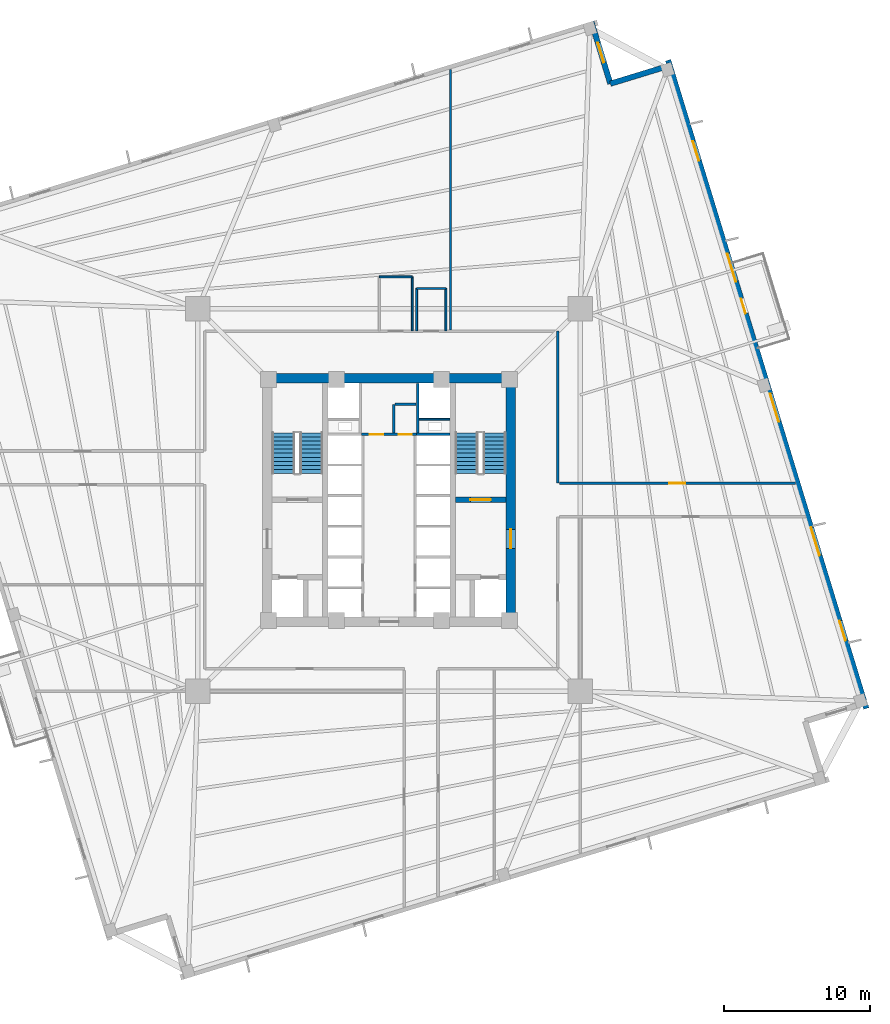
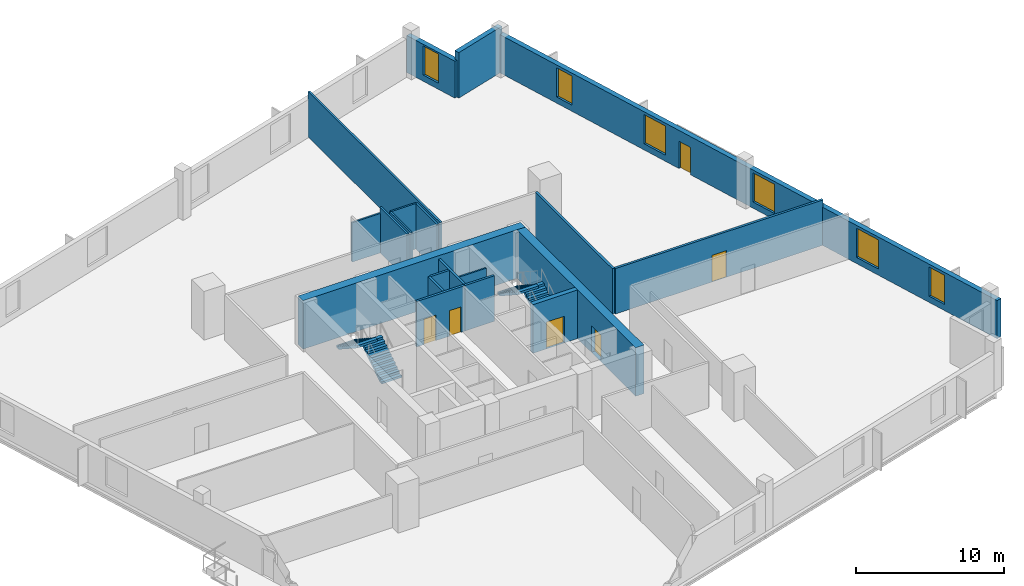
# One storey, part 5 of 9: 20 walls, 6 doors, 6 windows, 4 stair flights, 12 openings, 2 elements without a shape of their own.
"""IFC4 building model written with IfcOpenShell, lengths in metres."""

from ifc_helpers import new_model, si_unit, direction, frame, frame_2d, origin, place, context, subcontext, project, spatial, polyline, rectangle, outline, extrude, source, transform, mapped, material, layer, layer_set, type_object, element, fill, aggregate, save


model = new_model("IFC4")

# Units and contexts
model_context = context("Model", 3, precision=1e-05, world=origin(), true_north=direction((0.0, 1.0)))
body_context = subcontext(model_context, "Body", "Model", "MODEL_VIEW")
ifc_project = project(units=[si_unit("LENGTHUNIT", "METRE"), si_unit("AREAUNIT", "SQUARE_METRE"), si_unit("VOLUMEUNIT", "CUBIC_METRE"), si_unit("PLANEANGLEUNIT", "RADIAN"), si_unit("MASSUNIT", "GRAM", prefix="KILO"), si_unit("THERMODYNAMICTEMPERATUREUNIT", "KELVIN")], contexts=[model_context])

# Site, building, storey
site_placement = place(None, origin())
site = spatial("IfcSite", under=ifc_project, at=site_placement, CompositionType="ELEMENT")
building_placement = place(site_placement, origin())
building = spatial("IfcBuilding", under=site, at=building_placement, Name="Kosmvard Interchange Tower", CompositionType="ELEMENT")
storey_placement = place(building_placement, frame((0.0, 0.0, 131.199951171875)))
storey = spatial("IfcBuildingStorey", under=building, at=storey_placement, Name="L31", CompositionType="ELEMENT", Elevation=131.199951171875)

# Walls
ifc_material_1 = material(Name="Acoustic gypsum partition system")
ifc_layer_1 = layer(ifc_material_1, 0.14990234375, Name="Acoustic gypsum partition system")
ifc_layer_set_1 = layer_set([ifc_layer_1], Name="Acoustic gypsum partition system")
wall_type_1 = type_object("IfcWallType", Name="Acoustic Suite & Meeting Partition 150", PredefinedType="PARTITIONING", material=ifc_layer_set_1)
wall_1_placement = place(storey_placement, frame((4.199951171875, 11.64501953125, 0.0), z_axis=(0.0, 0.0, 1.0), x_axis=(0.0, 1.0, 0.0)))
element("IfcWall", 1, at=wall_1_placement, inside=storey, type_object=wall_type_1, Name="L31 Room Partition 01.1", PredefinedType="PARTITIONING", context=body_context, shape_type="SweptSolid", body=[
    extrude(rectangle(XDim=17.8046875, YDim=0.14990234375, at=frame_2d((8.90234375, 0.0))), origin(), (0.0, 0.0, 1.0), 3.739990234375),
])
ifc_material_2 = material(Name="Fire-rated gypsum partition system")
ifc_layer_2 = layer(ifc_material_2, 0.159912109375, Name="Fire-rated gypsum partition system")
ifc_layer_set_2 = layer_set([ifc_layer_2], Name="Fire-rated gypsum partition system")
wall_type_2 = type_object("IfcWallType", Name="Core Compartment & Shuttle Lobby Partition 160", PredefinedType="PARTITIONING", material=ifc_layer_set_2)
wall_2_placement = place(storey_placement, frame((1.9599609375, 4.580078125, 0.0), z_axis=(0.0, 0.0, 1.0), x_axis=(0.0, 1.0, 0.0)))
element("IfcWall", 2, at=wall_2_placement, inside=storey, type_object=wall_type_2, Name="L31 North Core East Wall", PredefinedType="PARTITIONING", context=body_context, shape_type="SweptSolid", body=[
    extrude(rectangle(XDim=3.39990234375, YDim=0.159912109375, at=frame_2d((1.699951171875, 0.0))), origin(), (0.0, 0.0, 1.0), 3.739990234375),
])
ifc_material_3 = material(Name="Concrete blockwork masonry", Category="masonry")
ifc_layer_3 = layer(ifc_material_3, 0.159912109375, Name="Concrete blockwork masonry")
ifc_layer_set_3 = layer_set([ifc_layer_3], Name="Concrete blockwork masonry")
wall_type_3 = type_object("IfcWallType", Name="Core Enclosure Split Wall 160", PredefinedType="PARTITIONING", material=ifc_layer_set_3)
wall_3_placement = place(storey_placement, frame((0.320068359375, 4.60009765625, 0.0), z_axis=(0.0, 0.0, 1.0), x_axis=(0.0, 1.0, 0.0)))
element("IfcWall", 3, at=wall_3_placement, inside=storey, type_object=wall_type_3, Name="L31 Core K3 L-Wall 1", PredefinedType="PARTITIONING", context=body_context, shape_type="SweptSolid", body=[
    extrude(rectangle(XDim=1.949951171875, YDim=0.159912109375, at=frame_2d((0.97509765625, 0.0))), origin(), (0.0, 0.0, 1.0), 3.739990234375),
])
wall_4_placement = place(storey_placement, frame((0.39990234375, 6.550048828125, 0.0), z_axis=(0.0, 0.0, 1.0), x_axis=(1.0, 0.0, 0.0)))
element("IfcWall", 4, at=wall_4_placement, inside=storey, type_object=wall_type_3, Name="L31 Core K3 L-Wall 2", PredefinedType="PARTITIONING", context=body_context, shape_type="SweptSolid", body=[
    extrude(rectangle(XDim=1.460205078125, YDim=0.159912109375, at=frame_2d((0.72998046875, 0.0))), origin(), (0.0, 0.0, 1.0), 3.739990234375),
])

# Wall, openings, doors
ifc_layer_4 = layer(ifc_material_2, 0.179931640625, Name="Fire-rated gypsum partition system")
ifc_layer_set_4 = layer_set([ifc_layer_4], Name="Fire-rated gypsum partition system")
wall_type_4 = type_object("IfcWallType", Name="Corridor & Hotel Compartment Partition 180", PredefinedType="PARTITIONING", material=ifc_layer_set_4)
wall_5_placement = place(storey_placement, frame((-1.8798828125, 4.489990234375, 0.0), z_axis=(0.0, 0.0, 1.0), x_axis=(1.0, 0.0, 0.0)))
wall_5 = element("IfcWall", 5, at=wall_5_placement, inside=storey, type_object=wall_type_4, Name="L31 Lift Lobby North Partition", PredefinedType="PARTITIONING", context=body_context, shape_type="SweptSolid", body=[
    extrude(rectangle(XDim=3.759765625, YDim=0.179931640625, at=frame_2d((1.8798828125, 0.0))), origin(), (0.0, 0.0, 1.0), 3.739990234375),
])
opening_1_placement = place(wall_5_placement, frame((0.550048828125, 0.0, 0.0)))
opening_1 = element("IfcOpeningElement", 6, at=opening_1_placement, cuts=wall_5, Name="Opening L31-KD1", PredefinedType="OPENING", context=body_context, shape_type="SweptSolid", body=[
    extrude(rectangle(XDim=0.949951171875, YDim=2.10009765625, at=frame_2d((0.47509765625, 1.050048828125))), frame((0.0, 0.10009765625, 0.0), z_axis=(0.0, -1.0, 0.0), x_axis=(1.0, 0.0, 0.0)), (0.0, 0.0, 1.0), 0.199951171875),
])
opening_2_placement = place(wall_5_placement, frame((2.56005859375, 0.0, 0.0)))
opening_2 = element("IfcOpeningElement", 7, at=opening_2_placement, cuts=wall_5, Name="Opening L31-KD2", PredefinedType="OPENING", context=body_context, shape_type="SweptSolid", body=[
    extrude(rectangle(XDim=0.8798828125, YDim=2.10009765625, at=frame_2d((0.43994140625, 1.050048828125))), frame((0.0, 0.10009765625, 0.0), z_axis=(0.0, -1.0, 0.0), x_axis=(1.0, 0.0, 0.0)), (0.0, 0.0, 1.0), 0.199951171875),
])
ifc_material_4 = material(Name="Painted fire-rated timber leaf", Category="wood")
door_type_1 = type_object("IfcDoorType", Name="Core Service Fire Door 950x2100 EI30", OperationType="NOTDEFINED", PredefinedType="DOOR", material=ifc_material_4)
shared_shape_1 = source(origin(), body_context, "Body", "SweptSolid", [
    extrude(rectangle(XDim=0.949951171875, YDim=2.10009765625, at=frame_2d((0.47509765625, 1.050048828125))), frame((0.0, 0.02490234375, 0.0), z_axis=(0.0, -1.0, 0.0), x_axis=(1.0, 0.0, 0.0)), (0.0, 0.0, 1.0), 0.050048828125),
])
door_1_placement = place(opening_1_placement, origin())
door_1 = element("IfcDoor", 8, at=door_1_placement, inside=storey, type_object=door_type_1, Name="L31 Core Archive Store Door", OperationType="SINGLE_SWING_LEFT", OverallHeight=2.10009765625, OverallWidth=0.949951171875, PredefinedType="DOOR", context=body_context, shape_type="MappedRepresentation", body=[
    mapped(shared_shape_1, transform((0.0, 0.0, 0.0), scale=1.0)),
])
fill(opening_1, door_1)
door_type_2 = type_object("IfcDoorType", Name="Core Cupboard Fire Door 880x2100 EI30", OperationType="NOTDEFINED", PredefinedType="DOOR", material=ifc_material_4)
shared_shape_2 = source(origin(), body_context, "Body", "SweptSolid", [
    extrude(rectangle(XDim=0.8798828125, YDim=2.10009765625, at=frame_2d((0.43994140625, 1.050048828125))), frame((0.0, 0.02490234375, 0.0), z_axis=(0.0, -1.0, 0.0), x_axis=(1.0, 0.0, 0.0)), (0.0, 0.0, 1.0), 0.050048828125),
])
door_2_placement = place(opening_2_placement, origin())
door_2 = element("IfcDoor", 9, at=door_2_placement, inside=storey, type_object=door_type_2, Name="L31 Core Supplies Cupboard Door", OperationType="SINGLE_SWING_RIGHT", OverallHeight=2.10009765625, OverallWidth=0.8798828125, PredefinedType="DOOR", context=body_context, shape_type="MappedRepresentation", body=[
    mapped(shared_shape_2, transform((0.0, 0.0, 0.0), scale=1.0)),
])
fill(opening_2, door_2)

# Wall
wall_6_placement = place(storey_placement, frame((11.550048828125, 1.14990234375, 0.0), z_axis=(0.0, 0.0, 1.0), x_axis=(0.0, 1.0, 0.0)))
element("IfcWall", 10, at=wall_6_placement, inside=storey, type_object=wall_type_4, Name="L31 Corridor Wall CEN", PredefinedType="PARTITIONING", context=body_context, shape_type="SweptSolid", body=[
    extrude(rectangle(XDim=10.400146484375, YDim=0.179931640625, at=frame_2d((5.2001953125, 0.0))), origin(), (0.0, 0.0, 1.0), 3.739990234375),
])

# Wall, opening, door
wall_7_placement = place(storey_placement, frame((11.64990234375, 1.14990234375, 0.0), z_axis=(0.0, 0.0, 1.0), x_axis=(1.0, 0.0, 0.0)))
wall_7 = element("IfcWall", 11, at=wall_7_placement, inside=storey, type_object=wall_type_4, Name="L31 Corridor Wall SEN", PredefinedType="PARTITIONING", context=body_context, shape_type="SweptSolid", body=[
    extrude(rectangle(XDim=16.164306640625, YDim=0.179931640625, at=frame_2d((8.08203125, 0.0))), origin(), (0.0, 0.0, 1.0), 3.739990234375),
])
opening_3_placement = place(wall_7_placement, frame((7.531982421875, 0.0, 0.0)))
opening_3 = element("IfcOpeningElement", 12, at=opening_3_placement, cuts=wall_7, Name="Opening L31-D04", PredefinedType="OPENING", context=body_context, shape_type="SweptSolid", body=[
    extrude(rectangle(XDim=1.10009765625, YDim=2.199951171875, at=frame_2d((0.550048828125, 1.10009765625))), frame((0.0, 0.10009765625, 0.0), z_axis=(0.0, -1.0, 0.0), x_axis=(1.0, 0.0, 0.0)), (0.0, 0.0, 1.0), 0.199951171875),
])
ifc_material_5 = material(Name="Engineered oak fire-rated timber", Category="wood")
door_type_3 = type_object("IfcDoorType", Name="Office Suite Entrance Door 1100x2200 FD30S", OperationType="NOTDEFINED", PredefinedType="DOOR", material=ifc_material_5)
shared_shape_3 = source(origin(), body_context, "Body", "SweptSolid", [
    extrude(rectangle(XDim=1.10009765625, YDim=2.199951171875, at=frame_2d((0.550048828125, 1.10009765625))), frame((0.0, 0.02490234375, 0.0), z_axis=(0.0, -1.0, 0.0), x_axis=(1.0, 0.0, 0.0)), (0.0, 0.0, 1.0), 0.050048828125),
])
door_3_placement = place(opening_3_placement, origin())
door_3 = element("IfcDoor", 13, at=door_3_placement, inside=storey, type_object=door_type_3, Name="L31 Corporate Townhall Event Hall Door", OperationType="SINGLE_SWING_RIGHT", OverallHeight=2.199951171875, OverallWidth=1.10009765625, PredefinedType="DOOR", context=body_context, shape_type="MappedRepresentation", body=[
    mapped(shared_shape_3, transform((0.0, 0.0, 0.0), scale=1.0)),
])
fill(opening_3, door_3)

# Wall, openings, door, windows
ifc_material_6 = material(Name="Precast concrete C45/55", Category="concrete")
ifc_layer_5 = layer(ifc_material_6, 0.3798828125, Name="Precast concrete C45/55")
ifc_layer_set_5 = layer_set([ifc_layer_5], Name="Precast concrete C45/55")
wall_type_5 = type_object("IfcWallType", Name="Lower Tower Precast Pier Wall 380 C45/55", PredefinedType="STANDARD", material=ifc_layer_set_5)
wall_8_placement = place(storey_placement, frame((32.65771484375, -14.26513671875, 0.0), z_axis=(0.0, 0.0, 1.0), x_axis=(-0.292373127906, 0.956304320851, 0.0)))
wall_8 = element("IfcWall", 14, at=wall_8_placement, inside=storey, type_object=wall_type_5, Name="L31 Precast Facade Wall F-E", PredefinedType="STANDARD", context=body_context, shape_type="SweptSolid", body=[
    extrude(rectangle(XDim=46.380126953125, YDim=0.3798828125, at=frame_2d((23.18994140625, 0.0))), origin(), (0.0, 0.0, 1.0), 3.14013671875),
])
opening_4_placement = place(wall_8_placement, frame((28.264892578125, 0.0, 0.0)))
opening_4 = element("IfcOpeningElement", 15, at=opening_4_placement, cuts=wall_8, Name="Opening L31-BDE", PredefinedType="OPENING", context=body_context, shape_type="SweptSolid", body=[
    extrude(rectangle(XDim=1.050048828125, YDim=2.25, at=frame_2d((0.52490234375, 1.125))), frame((0.0, 0.199951171875, 0.0), z_axis=(0.0, -1.0, 0.0), x_axis=(1.0, 0.0, 0.0)), (0.0, 0.0, 1.0), 0.39990234375),
])
opening_5_placement = place(wall_8_placement, frame((4.865478515625, 0.0, 0.510009765625)))
opening_5 = element("IfcOpeningElement", 16, at=opening_5_placement, cuts=wall_8, Name="Opening L31-W06", PredefinedType="OPENING", context=body_context, shape_type="SweptSolid", body=[
    extrude(rectangle(XDim=1.39990234375, YDim=2.39990234375, at=frame_2d((0.699951171875, 1.199951171875))), frame((0.0, 0.199951171875, 0.0), z_axis=(0.0, -1.0, 0.0), x_axis=(1.0, 0.0, 0.0)), (0.0, 0.0, 1.0), 0.39990234375),
])
opening_6_placement = place(wall_8_placement, frame((10.9501953125, 0.0, 0.510009765625)))
opening_6 = element("IfcOpeningElement", 17, at=opening_6_placement, cuts=wall_8, Name="Opening L31-W07", PredefinedType="OPENING", context=body_context, shape_type="SweptSolid", body=[
    extrude(rectangle(XDim=2.0, YDim=2.39990234375, at=frame_2d((1.0, 1.199951171875))), frame((0.0, 0.199951171875, 0.0), z_axis=(0.0, -1.0, 0.0), x_axis=(1.0, 0.0, 0.0)), (0.0, 0.0, 1.0), 0.39990234375),
])
opening_7_placement = place(wall_8_placement, frame((20.512451171875, 0.0, 0.510009765625)))
opening_7 = element("IfcOpeningElement", 18, at=opening_7_placement, cuts=wall_8, Name="Opening L31-W08", PredefinedType="OPENING", context=body_context, shape_type="SweptSolid", body=[
    extrude(rectangle(XDim=2.0, YDim=2.39990234375, at=frame_2d((1.0, 1.199951171875))), frame((0.0, 0.199951171875, 0.0), z_axis=(0.0, -1.0, 0.0), x_axis=(1.0, 0.0, 0.0)), (0.0, 0.0, 1.0), 0.39990234375),
])
opening_8_placement = place(wall_8_placement, frame((30.538330078125, 0.0, 0.510009765625)))
opening_8 = element("IfcOpeningElement", 19, at=opening_8_placement, cuts=wall_8, Name="Opening L31-W09", PredefinedType="OPENING", context=body_context, shape_type="SweptSolid", body=[
    extrude(rectangle(XDim=2.0, YDim=2.39990234375, at=frame_2d((1.0, 1.199951171875))), frame((0.0, 0.199951171875, 0.0), z_axis=(0.0, -1.0, 0.0), x_axis=(1.0, 0.0, 0.0)), (0.0, 0.0, 1.0), 0.39990234375),
])
opening_9_placement = place(wall_8_placement, frame((39.186767578125, 0.0, 0.510009765625)))
opening_9 = element("IfcOpeningElement", 20, at=opening_9_placement, cuts=wall_8, Name="Opening L31-W10", PredefinedType="OPENING", context=body_context, shape_type="SweptSolid", body=[
    extrude(rectangle(XDim=1.39990234375, YDim=2.39990234375, at=frame_2d((0.699951171875, 1.199951171875))), frame((0.0, 0.199951171875, 0.0), z_axis=(0.0, -1.0, 0.0), x_axis=(1.0, 0.0, 0.0)), (0.0, 0.0, 1.0), 0.39990234375),
])
ifc_material_7 = material(Name="Anodised aluminium and safety glass", Category="aluminium")
door_type_4 = type_object("IfcDoorType", Name="Tree-Balcony Glazed Door 1050x2250", OperationType="NOTDEFINED", PredefinedType="DOOR", material=ifc_material_7)
shared_shape_4 = source(origin(), body_context, "Body", "SweptSolid", [
    extrude(rectangle(XDim=1.050048828125, YDim=2.25, at=frame_2d((0.52490234375, 1.125))), frame((0.0, 0.02490234375, 0.0), z_axis=(0.0, -1.0, 0.0), x_axis=(1.0, 0.0, 0.0)), (0.0, 0.0, 1.0), 0.050048828125),
])
door_4_placement = place(opening_4_placement, origin())
door_4 = element("IfcDoor", 21, at=door_4_placement, inside=storey, type_object=door_type_4, Name="L31 Tree-Balcony Door BAL-L31-E", OperationType="SINGLE_SWING_RIGHT", OverallHeight=2.25, OverallWidth=1.050048828125, PredefinedType="DOOR", context=body_context, shape_type="MappedRepresentation", body=[
    mapped(shared_shape_4, transform((0.0, 0.0, 0.0), scale=1.0)),
])
fill(opening_4, door_4)
ifc_material_8 = material(Name="Low-E solar-control double glazing", Category="glass")
window_type_1 = type_object("IfcWindowType", Name="Notched Corner Feature Window 1400x2400", PartitioningType="SINGLE_PANEL", PredefinedType="WINDOW", material=ifc_material_8)
shared_shape_5 = source(origin(), body_context, "Body", "SweptSolid", [
    extrude(rectangle(XDim=1.39990234375, YDim=2.39990234375, at=frame_2d((0.699951171875, 1.199951171875))), frame((0.0, 0.030029296875, 0.0), z_axis=(0.0, -1.0, 0.0), x_axis=(1.0, 0.0, 0.0)), (0.0, 0.0, 1.0), 0.06005859375),
])
window_1_placement = place(opening_5_placement, origin())
window_1 = element("IfcWindow", 22, at=window_1_placement, inside=storey, type_object=window_type_1, Name="L31 Facade Punched Window 06", OverallHeight=2.39990234375, OverallWidth=1.39990234375, PartitioningType="SINGLE_PANEL", PredefinedType="WINDOW", context=body_context, shape_type="MappedRepresentation", body=[
    mapped(shared_shape_5, transform((0.0, 0.0, 0.0), scale=1.0)),
])
fill(opening_5, window_1)
window_2_placement = place(opening_9_placement, origin())
window_2 = element("IfcWindow", 23, at=window_2_placement, inside=storey, type_object=window_type_1, Name="L31 Facade Punched Window 10", OverallHeight=2.39990234375, OverallWidth=1.39990234375, PartitioningType="SINGLE_PANEL", PredefinedType="WINDOW", context=body_context, shape_type="MappedRepresentation", body=[
    mapped(shared_shape_5, transform((0.0, 0.0, 0.0), scale=1.0)),
])
fill(opening_9, window_2)
window_type_2 = type_object("IfcWindowType", Name="Zone 2 Office Punched Window 2000x2400", PartitioningType="SINGLE_PANEL", PredefinedType="WINDOW", material=ifc_material_8)
shared_shape_6 = source(origin(), body_context, "Body", "SweptSolid", [
    extrude(rectangle(XDim=2.0, YDim=2.39990234375, at=frame_2d((1.0, 1.199951171875))), frame((0.0, 0.030029296875, 0.0), z_axis=(0.0, -1.0, 0.0), x_axis=(1.0, 0.0, 0.0)), (0.0, 0.0, 1.0), 0.06005859375),
])
window_3_placement = place(opening_6_placement, origin())
window_3 = element("IfcWindow", 24, at=window_3_placement, inside=storey, type_object=window_type_2, Name="L31 Facade Punched Window 07", OverallHeight=2.39990234375, OverallWidth=2.0, PartitioningType="SINGLE_PANEL", PredefinedType="WINDOW", context=body_context, shape_type="MappedRepresentation", body=[
    mapped(shared_shape_6, transform((0.0, 0.0, 0.0), scale=1.0)),
])
fill(opening_6, window_3)
window_4_placement = place(opening_7_placement, origin())
window_4 = element("IfcWindow", 25, at=window_4_placement, inside=storey, type_object=window_type_2, Name="L31 Facade Punched Window 08", OverallHeight=2.39990234375, OverallWidth=2.0, PartitioningType="SINGLE_PANEL", PredefinedType="WINDOW", context=body_context, shape_type="MappedRepresentation", body=[
    mapped(shared_shape_6, transform((0.0, 0.0, 0.0), scale=1.0)),
])
fill(opening_7, window_4)
window_5_placement = place(opening_8_placement, origin())
window_5 = element("IfcWindow", 26, at=window_5_placement, inside=storey, type_object=window_type_2, Name="L31 Facade Punched Window 09", OverallHeight=2.39990234375, OverallWidth=2.0, PartitioningType="SINGLE_PANEL", PredefinedType="WINDOW", context=body_context, shape_type="MappedRepresentation", body=[
    mapped(shared_shape_6, transform((0.0, 0.0, 0.0), scale=1.0)),
])
fill(opening_8, window_5)

# Wall
wall_9_placement = place(storey_placement, frame((19.20849609375, 29.724853515625, 0.0), z_axis=(0.0, 0.0, 1.0), x_axis=(-0.956312764915, -0.292345507338, 0.0)))
element("IfcWall", 27, at=wall_9_placement, inside=storey, type_object=wall_type_5, Name="L31 Precast Facade Wall N-NE1", PredefinedType="STANDARD", context=body_context, shape_type="SweptSolid", body=[
    extrude(rectangle(XDim=4.249755859375, YDim=0.3798828125, at=frame_2d((2.125, 0.0))), origin(), (0.0, 0.0, 1.0), 3.739990234375),
])

# Wall, opening, window
wall_10_placement = place(storey_placement, frame((15.144287109375, 28.482421875, 0.0), z_axis=(0.0, 0.0, 1.0), x_axis=(-0.292373601522, 0.956304176051, 0.0)))
wall_10 = element("IfcWall", 28, at=wall_10_placement, inside=storey, type_object=wall_type_5, Name="L31 Precast Facade Wall N-NE2", PredefinedType="STANDARD", context=body_context, shape_type="SweptSolid", body=[
    extrude(rectangle(XDim=4.43994140625, YDim=0.3798828125, at=frame_2d((2.219970703125, 0.0))), origin(), (0.0, 0.0, 1.0), 3.0400390625),
])
opening_10_placement = place(wall_10_placement, frame((1.52001953125, 0.0, 0.510009765625)))
opening_10 = element("IfcOpeningElement", 29, at=opening_10_placement, cuts=wall_10, Name="Opening L31-W21", PredefinedType="OPENING", context=body_context, shape_type="SweptSolid", body=[
    extrude(rectangle(XDim=1.39990234375, YDim=2.39990234375, at=frame_2d((0.699951171875, 1.199951171875))), frame((0.0, 0.199951171875, 0.0), z_axis=(0.0, -1.0, 0.0), x_axis=(1.0, 0.0, 0.0)), (0.0, 0.0, 1.0), 0.39990234375),
])
window_6_placement = place(opening_10_placement, origin())
window_6 = element("IfcWindow", 30, at=window_6_placement, inside=storey, type_object=window_type_1, Name="L31 Corner Notch Window 21", OverallHeight=2.39990234375, OverallWidth=1.39990234375, PartitioningType="SINGLE_PANEL", PredefinedType="WINDOW", context=body_context, shape_type="MappedRepresentation", body=[
    mapped(shared_shape_5, transform((0.0, 0.0, 0.0), scale=1.0)),
])
fill(opening_10, window_6)

# Wall
ifc_material_9 = material(Name="Concrete C70/85", Category="concrete")
ifc_layer_6 = layer(ifc_material_9, 0.64990234375, Name="Concrete C70/85")
ifc_layer_set_6 = layer_set([ifc_layer_6], Name="Concrete C70/85")
wall_type_6 = type_object("IfcWallType", Name="Mid Core Shear Wall 650 C70/85", PredefinedType="SHEAR", material=ifc_layer_set_6)
wall_11_placement = place(storey_placement, frame((-8.64990234375, 8.324951171875, 0.0), z_axis=(0.0, 0.0, 1.0), x_axis=(1.0, 0.0, 0.0)))
element("IfcWall", 31, at=wall_11_placement, inside=storey, type_object=wall_type_6, Name="L31 Core Shear Wall CW-N", PredefinedType="SHEAR", context=body_context, shape_type="SweptSolid", body=[
    extrude(rectangle(XDim=17.2998046875, YDim=0.64990234375, at=frame_2d((8.64990234375, 0.0))), origin(), (0.0, 0.0, 1.0), 4.0),
])

# Wall, opening, door
wall_12_placement = place(storey_placement, frame((8.324951171875, -8.0, 0.0), z_axis=(0.0, 0.0, 1.0), x_axis=(0.0, 1.0, 0.0)))
wall_12 = element("IfcWall", 32, at=wall_12_placement, inside=storey, type_object=wall_type_6, Name="L31 Core Shear Wall CW-E", PredefinedType="SHEAR", context=body_context, shape_type="SweptSolid", body=[
    extrude(rectangle(XDim=16.0, YDim=0.64990234375, at=frame_2d((8.0, 0.0))), origin(), (0.0, 0.0, 1.0), 4.0),
])
opening_11_placement = place(wall_12_placement, frame((4.68994140625, 0.0, 0.0)))
opening_11 = element("IfcOpeningElement", 33, at=opening_11_placement, cuts=wall_12, Name="Opening L31-FD2", PredefinedType="OPENING", context=body_context, shape_type="SweptSolid", body=[
    extrude(rectangle(XDim=1.300048828125, YDim=2.199951171875, at=frame_2d((0.64990234375, 1.10009765625))), frame((0.0, 0.3349609375, 0.0), z_axis=(0.0, -1.0, 0.0), x_axis=(1.0, 0.0, 0.0)), (0.0, 0.0, 1.0), 0.669921875),
])
ifc_material_10 = material(Name="Painted fire-rated steel leaf", Category="steel")
door_type_5 = type_object("IfcDoorType", Name="Firefighting Lobby Door 1300x2200 EI60", OperationType="NOTDEFINED", PredefinedType="DOOR", material=ifc_material_10)
shared_shape_7 = source(origin(), body_context, "Body", "SweptSolid", [
    extrude(rectangle(XDim=1.300048828125, YDim=2.199951171875, at=frame_2d((0.64990234375, 1.10009765625))), frame((0.0, 0.02490234375, 0.0), z_axis=(0.0, -1.0, 0.0), x_axis=(1.0, 0.0, 0.0)), (0.0, 0.0, 1.0), 0.050048828125),
])
door_5_placement = place(opening_11_placement, origin())
door_5 = element("IfcDoor", 34, at=door_5_placement, inside=storey, type_object=door_type_5, Name="L31 Firefighting Lobby East Door", OperationType="SINGLE_SWING_RIGHT", OverallHeight=2.199951171875, OverallWidth=1.300048828125, PredefinedType="DOOR", context=body_context, shape_type="MappedRepresentation", body=[
    mapped(shared_shape_7, transform((0.0, 0.0, 0.0), scale=1.0)),
])
fill(opening_11, door_5)

# Walls
ifc_layer_7 = layer(ifc_material_3, 0.179931640625, Name="Concrete blockwork masonry")
ifc_layer_set_7 = layer_set([ifc_layer_7], Name="Concrete blockwork masonry")
wall_type_7 = type_object("IfcWallType", Name="Riser & Lift Bank Divider Wall 180", PredefinedType="PARTITIONING", material=ifc_layer_set_7)
wall_13_placement = place(storey_placement, frame((1.889892578125, 4.489990234375, 0.0), z_axis=(0.0, 0.0, 1.0), x_axis=(1.0, 0.0, 0.0)))
element("IfcWall", 35, at=wall_13_placement, inside=storey, type_object=wall_type_7, Name="L31 East Bank Divider BD3", PredefinedType="PARTITIONING", context=body_context, shape_type="SweptSolid", body=[
    extrude(rectangle(XDim=2.280029296875, YDim=0.179931640625, at=frame_2d((1.14013671875, 0.0))), origin(), (0.0, 0.0, 1.0), 3.739990234375),
])
ifc_material_11 = material(Name="Fire-rated gypsum shaftwall system")
ifc_layer_8 = layer(ifc_material_11, 0.1201171875, Name="Fire-rated gypsum shaftwall system")
ifc_layer_set_8 = layer_set([ifc_layer_8], Name="Fire-rated gypsum shaftwall system")
wall_type_8 = type_object("IfcWallType", Name="Shaft & Riser Fire Partition 120 EI60", PredefinedType="PARTITIONING", material=ifc_layer_set_8)
wall_14_placement = place(storey_placement, frame((2.06005859375, 5.52001953125, 0.0), z_axis=(0.0, 0.0, 1.0), x_axis=(1.0, 0.0, 0.0)))
element("IfcWall", 36, at=wall_14_placement, inside=storey, type_object=wall_type_8, Name="L31 Riser Shaft Divider E", PredefinedType="PARTITIONING", context=body_context, shape_type="SweptSolid", body=[
    extrude(rectangle(XDim=2.099853515625, YDim=0.1201171875, at=frame_2d((1.0498046875, 0.0))), origin(), (0.0, 0.0, 1.0), 3.739990234375),
])

# Wall, opening, door
ifc_material_12 = material(Name="Concrete C60/75", Category="concrete")
ifc_layer_9 = layer(ifc_material_12, 0.360107421875, Name="Concrete C60/75")
ifc_layer_set_9 = layer_set([ifc_layer_9], Name="Concrete C60/75")
wall_type_9 = type_object("IfcWallType", Name="Stair & Lift Shaft Shear Wall 360 C60/75", PredefinedType="SHEAR", material=ifc_layer_set_9)
wall_15_placement = place(storey_placement, frame((4.5400390625, 0.02001953125, 0.0), z_axis=(0.0, 0.0, 1.0), x_axis=(1.0, 0.0, 0.0)))
wall_15 = element("IfcWall", 37, at=wall_15_placement, inside=storey, type_object=wall_type_9, Name="L31 Shaft Shear Wall SW-ST2", PredefinedType="SHEAR", context=body_context, shape_type="SweptSolid", body=[
    extrude(rectangle(XDim=3.4599609375, YDim=0.360107421875, at=frame_2d((1.72998046875, 0.0))), origin(), (0.0, 0.0, 1.0), 4.0),
])
opening_12_placement = place(wall_15_placement, frame((1.030029296875, 0.0, 0.0)))
opening_12 = element("IfcOpeningElement", 38, at=opening_12_placement, cuts=wall_15, Name="Opening L31-SD2", PredefinedType="OPENING", context=body_context, shape_type="SweptSolid", body=[
    extrude(rectangle(XDim=1.39990234375, YDim=2.199951171875, at=frame_2d((0.699951171875, 1.10009765625))), frame((0.0, 0.18994140625, 0.0), z_axis=(0.0, -1.0, 0.0), x_axis=(1.0, 0.0, 0.0)), (0.0, 0.0, 1.0), 0.380126953125),
])
door_type_6 = type_object("IfcDoorType", Name="Protected Stair Door 1400x2200 FD60S", OperationType="NOTDEFINED", PredefinedType="DOOR", material=ifc_material_10)
shared_shape_8 = source(origin(), body_context, "Body", "SweptSolid", [
    extrude(rectangle(XDim=1.39990234375, YDim=2.199951171875, at=frame_2d((0.699951171875, 1.10009765625))), frame((0.0, 0.02490234375, 0.0), z_axis=(0.0, -1.0, 0.0), x_axis=(1.0, 0.0, 0.0)), (0.0, 0.0, 1.0), 0.050048828125),
])
door_6_placement = place(opening_12_placement, origin())
door_6 = element("IfcDoor", 39, at=door_6_placement, inside=storey, type_object=door_type_6, Name="L31 Stair ST-2 Enclosure Door", OperationType="SINGLE_SWING_RIGHT", OverallHeight=2.199951171875, OverallWidth=1.39990234375, PredefinedType="DOOR", context=body_context, shape_type="MappedRepresentation", body=[
    mapped(shared_shape_8, transform((0.0, 0.0, 0.0), scale=1.0)),
])
fill(opening_12, door_6)

# Walls
ifc_material_13 = material(Name="Moisture-resistant gypsum partition")
ifc_layer_10 = layer(ifc_material_13, 0.135009765625, Name="Moisture-resistant gypsum partition")
ifc_layer_set_10 = layer_set([ifc_layer_10], Name="Moisture-resistant gypsum partition")
wall_type_10 = type_object("IfcWallType", Name="Wet Room Moisture-Resistant Partition 135", PredefinedType="PARTITIONING", material=ifc_layer_set_10)
wall_16_placement = place(storey_placement, frame((3.888916015625, 11.570068359375, 0.0), z_axis=(0.0, 0.0, 1.0), x_axis=(0.0, 1.0, 0.0)))
element("IfcWall", 40, at=wall_16_placement, inside=storey, type_object=wall_type_10, Name="L31 Washroom Partition AWC1-E", PredefinedType="PARTITIONING", context=body_context, shape_type="SweptSolid", body=[
    extrude(rectangle(XDim=2.89990234375, YDim=0.135009765625, at=frame_2d((1.449951171875, 0.0))), origin(), (0.0, 0.0, 1.0), 3.739990234375),
])
wall_17_placement = place(storey_placement, frame((1.888916015625, 14.469970703125, 0.0), z_axis=(0.0, 0.0, 1.0), x_axis=(1.0, 0.0, 0.0)))
element("IfcWall", 41, at=wall_17_placement, inside=storey, type_object=wall_type_10, Name="L31 Washroom Partition AWC1-N", PredefinedType="PARTITIONING", context=body_context, shape_type="SweptSolid", body=[
    extrude(rectangle(XDim=2.0, YDim=0.135009765625, at=frame_2d((1.0, 0.0))), origin(), (0.0, 0.0, 1.0), 3.739990234375),
])
wall_18_placement = place(storey_placement, frame((1.888916015625, 11.570068359375, 0.0), z_axis=(0.0, 0.0, 1.0), x_axis=(0.0, 1.0, 0.0)))
element("IfcWall", 42, at=wall_18_placement, inside=storey, type_object=wall_type_10, Name="L31 Washroom Partition AWC1-W", PredefinedType="PARTITIONING", context=body_context, shape_type="SweptSolid", body=[
    extrude(rectangle(XDim=2.89990234375, YDim=0.135009765625, at=frame_2d((1.449951171875, 0.0))), origin(), (0.0, 0.0, 1.0), 3.739990234375),
])
wall_19_placement = place(storey_placement, frame((1.58984375, 11.570068359375, 0.0), z_axis=(0.0, 0.0, 1.0), x_axis=(0.0, 1.0, 0.0)))
element("IfcWall", 43, at=wall_19_placement, inside=storey, type_object=wall_type_10, Name="L31 Washroom Partition WC1-E", PredefinedType="PARTITIONING", context=body_context, shape_type="SweptSolid", body=[
    extrude(rectangle(XDim=3.699951171875, YDim=0.135009765625, at=frame_2d((1.85009765625, 0.0))), origin(), (0.0, 0.0, 1.0), 3.739990234375),
])
wall_20_placement = place(storey_placement, frame((-0.66015625, 15.27001953125, 0.0), z_axis=(0.0, 0.0, 1.0), x_axis=(1.0, 0.0, 0.0)))
element("IfcWall", 44, at=wall_20_placement, inside=storey, type_object=wall_type_10, Name="L31 Washroom Partition WC1-N", PredefinedType="PARTITIONING", context=body_context, shape_type="SweptSolid", body=[
    extrude(rectangle(XDim=2.25, YDim=0.135009765625, at=frame_2d((1.125, 0.0))), origin(), (0.0, 0.0, 1.0), 3.239990234375),
])

# Stair, stair flights
ifc_material_14 = material(Name="Concrete C50/60", Category="concrete")
stair_type = type_object("IfcStairType", Name="Dog-Leg Core Exit Stair H4000 C50/60", PredefinedType="HALF_TURN_STAIR", material=ifc_material_14)
stair_1_placement = place(storey_placement, origin())
stair_1 = element("IfcStair", 45, at=stair_1_placement, inside=storey, type_object=stair_type, Name="L31 Protected Exit Stair ST-1", PredefinedType="HALF_TURN_STAIR")
stair_flight_type = type_object("IfcStairFlightType", Name="Core Stair Flight W1550 H4000 C50/60", PredefinedType="STRAIGHT", material=ifc_material_14)
shared_shape_9 = source(origin(), body_context, "Body", "SweptSolid", [
    extrude(outline(polyline([(0.0, 0.0), (0.0, 0.181884765625), (0.280029296875, 0.181884765625), (0.280029296875, 0.363525390625), (0.56005859375, 0.363525390625), (0.56005859375, 0.54541015625), (0.840087890625, 0.54541015625), (0.840087890625, 0.727294921875), (1.1201171875, 0.727294921875), (1.1201171875, 0.9091796875), (1.39990234375, 0.9091796875), (1.39990234375, 1.0908203125), (1.679931640625, 1.0908203125), (1.679931640625, 1.272705078125), (1.9599609375, 1.272705078125), (1.9599609375, 1.45458984375), (2.239990234375, 1.45458984375), (2.239990234375, 1.636474609375), (2.52001953125, 1.636474609375), (2.52001953125, 1.818115234375), (2.800048828125, 1.818115234375), (2.800048828125, 2.0), (2.800048828125, 1.62744140625), (0.293701171875, 0.0), (0.0, 0.0)])), frame((0.0, 0.77490234375, 0.0), z_axis=(0.0, -1.0, 0.0), x_axis=(1.0, 0.0, 0.0)), (0.0, 0.0, 1.0), 1.550048828125),
])
stair_flight_1_placement = place(storey_placement, frame((-5.31494140625, 1.800048828125, 0.0), z_axis=(0.0, 0.0, 1.0), x_axis=(0.0, 1.0, 0.0)))
stair_flight_1 = element("IfcStairFlight", 46, at=stair_flight_1_placement, type_object=stair_flight_type, Name="ST-1 flight 1", NumberOfRisers=11, NumberOfTreads=10, PredefinedType="STRAIGHT", RiserHeight=0.181818182, TreadLength=0.28, context=body_context, shape_type="MappedRepresentation", body=[
    mapped(shared_shape_9, transform((0.0, 0.0, 0.0), scale=1.0)),
])
stair_flight_2_placement = place(storey_placement, frame((-7.22509765625, 4.60009765625, 2.0), z_axis=(0.0, 0.0, 1.0), x_axis=(0.0, -1.0, 0.0)))
stair_flight_2 = element("IfcStairFlight", 47, at=stair_flight_2_placement, type_object=stair_flight_type, Name="ST-1 flight 2", NumberOfRisers=11, NumberOfTreads=10, PredefinedType="STRAIGHT", RiserHeight=0.181818182, TreadLength=0.28, context=body_context, shape_type="MappedRepresentation", body=[
    mapped(shared_shape_9, transform((0.0, 0.0, 0.0), scale=1.0)),
])
aggregate(stair_1, [stair_flight_1, stair_flight_2])

stair_2_placement = place(storey_placement, origin())
stair_2 = element("IfcStair", 48, at=stair_2_placement, inside=storey, type_object=stair_type, Name="L31 Protected Exit Stair ST-2", PredefinedType="HALF_TURN_STAIR")
stair_flight_3_placement = place(storey_placement, frame((7.22509765625, 1.800048828125, 0.0), z_axis=(0.0, 0.0, 1.0), x_axis=(0.0, 1.0, 0.0)))
stair_flight_3 = element("IfcStairFlight", 49, at=stair_flight_3_placement, type_object=stair_flight_type, Name="ST-2 flight 1", NumberOfRisers=11, NumberOfTreads=10, PredefinedType="STRAIGHT", RiserHeight=0.181818182, TreadLength=0.28, context=body_context, shape_type="MappedRepresentation", body=[
    mapped(shared_shape_9, transform((0.0, 0.0, 0.0), scale=1.0)),
])
stair_flight_4_placement = place(storey_placement, frame((5.31494140625, 4.60009765625, 2.0), z_axis=(0.0, 0.0, 1.0), x_axis=(0.0, -1.0, 0.0)))
stair_flight_4 = element("IfcStairFlight", 50, at=stair_flight_4_placement, type_object=stair_flight_type, Name="ST-2 flight 2", NumberOfRisers=11, NumberOfTreads=10, PredefinedType="STRAIGHT", RiserHeight=0.181818182, TreadLength=0.28, context=body_context, shape_type="MappedRepresentation", body=[
    mapped(shared_shape_9, transform((0.0, 0.0, 0.0), scale=1.0)),
])
aggregate(stair_2, [stair_flight_3, stair_flight_4])

save(model, "model.ifc")
